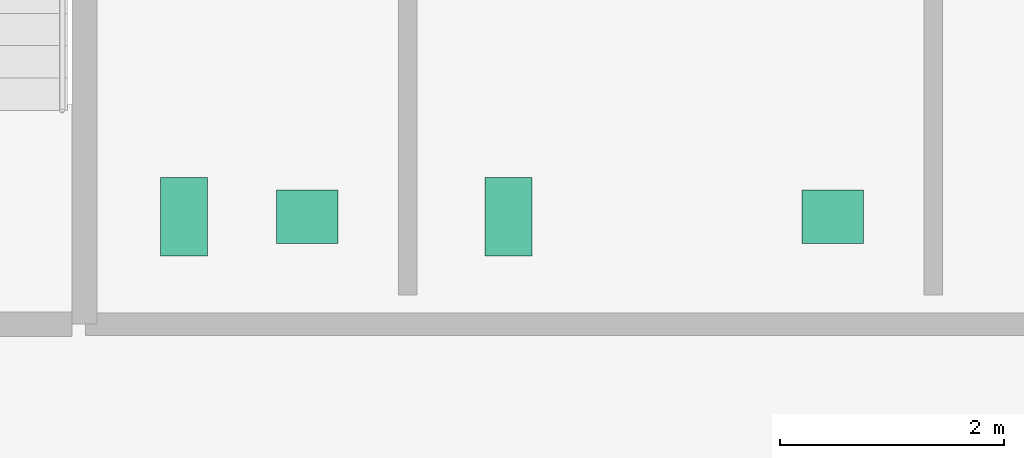
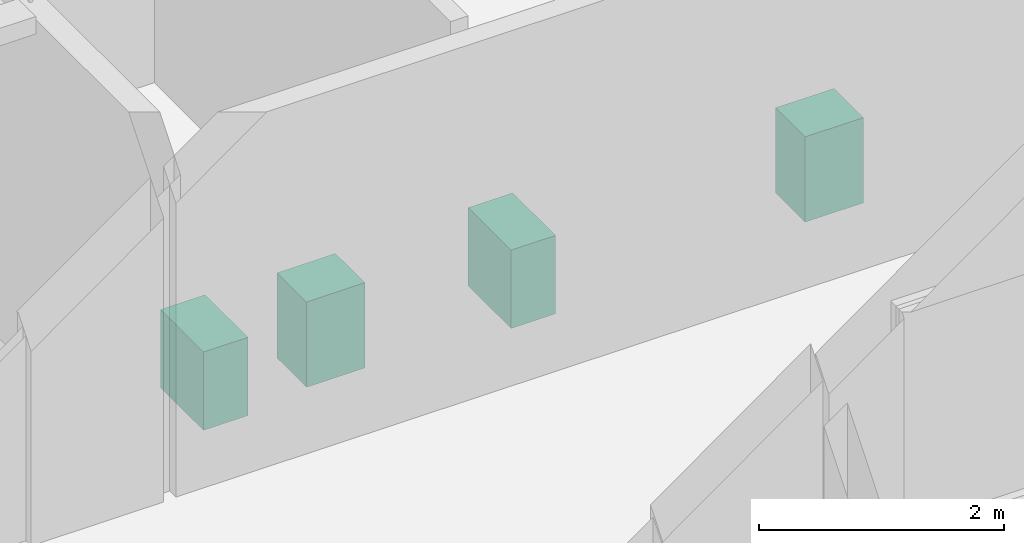
# One storey, part 12 of 12: 4 sanitary terminals.
"""IFC4 building model written with IfcOpenShell, lengths in metres."""

from ifc_helpers import new_model, si_unit, direction, frame, origin, origin_2d, place, context, subcontext, project, spatial, rectangle, extrude, material, type_object, element, save


model = new_model("IFC4")

# Units and contexts
model_context = context("Model", 3, precision=1e-05, world=origin(), true_north=direction((0.0, 1.0)))
body_context = subcontext(model_context, "Body", "Model", "MODEL_VIEW")
ifc_project = project(units=[si_unit("LENGTHUNIT", "METRE"), si_unit("AREAUNIT", "SQUARE_METRE"), si_unit("VOLUMEUNIT", "CUBIC_METRE"), si_unit("PLANEANGLEUNIT", "RADIAN"), si_unit("MASSUNIT", "GRAM", prefix="KILO")], contexts=[model_context])

# Site, building, storey
site_placement = place(None, origin())
site = spatial("IfcSite", under=ifc_project, at=site_placement, CompositionType="ELEMENT")
building_placement = place(site_placement, origin())
building = spatial("IfcBuilding", under=site, at=building_placement, Name="Norrvale University Quadrangle", CompositionType="ELEMENT")
storey_placement = place(building_placement, frame((0.0, 0.0, 105.199951171875)))
storey = spatial("IfcBuildingStorey", under=building, at=storey_placement, Name="L26", CompositionType="ELEMENT", Elevation=105.199951171875)

# Sanitary terminals
ifc_material = material(Name="Vitreous China Sanitaryware")
sanitary_terminal_type_1 = type_object("IfcSanitaryTerminalType", Name="Sanitary Wash Basin", PredefinedType="WASHHANDBASIN", material=ifc_material)
for number, where, z_axis, x_axis, name in (
    (1, (8.300048828125, 41.10009765625, 0.0), (0.0, 0.0, 1.0), (1.0, 0.0, 0.0), "Accessible Countertop Washbasin L26-1"),
    (2, (13.0, 41.10009765625, 0.0), (0.0, 0.0, 1.0), (1.0, 0.0, 0.0), "Accessible Countertop Washbasin L26-2"),
):
    element("IfcSanitaryTerminal", number, at=place(storey_placement, frame(where, z_axis=z_axis, x_axis=x_axis)), inside=storey, type_object=sanitary_terminal_type_1, Name=name, PredefinedType="WASHHANDBASIN", context=body_context, shape_type="SweptSolid", body=[
        extrude(rectangle(XDim=0.550048828125, YDim=0.47998046875, at=origin_2d()), origin(), (0.0, 0.0, 1.0), 0.85009765625),
    ])
sanitary_terminal_type_2 = type_object("IfcSanitaryTerminalType", Name="Sanitary Water Closet", PredefinedType="TOILETPAN", material=ifc_material)
for number, where, z_axis, x_axis, name in (
    (3, (7.199951171875, 41.10009765625, 0.0), (0.0, 0.0, 1.0), (1.0, 0.0, 0.0), "Wall-Hung Water Closet L26-1"),
    (4, (10.10009765625, 41.10009765625, 0.0), (0.0, 0.0, 1.0), (1.0, 0.0, 0.0), "Wall-Hung Water Closet L26-2"),
):
    element("IfcSanitaryTerminal", number, at=place(storey_placement, frame(where, z_axis=z_axis, x_axis=x_axis)), inside=storey, type_object=sanitary_terminal_type_2, Name=name, PredefinedType="TOILETPAN", context=body_context, shape_type="SweptSolid", body=[
        extrude(rectangle(XDim=0.419921875, YDim=0.699951171875, at=origin_2d()), origin(), (0.0, 0.0, 1.0), 0.780029296875),
    ])

save(model, "model.ifc")
